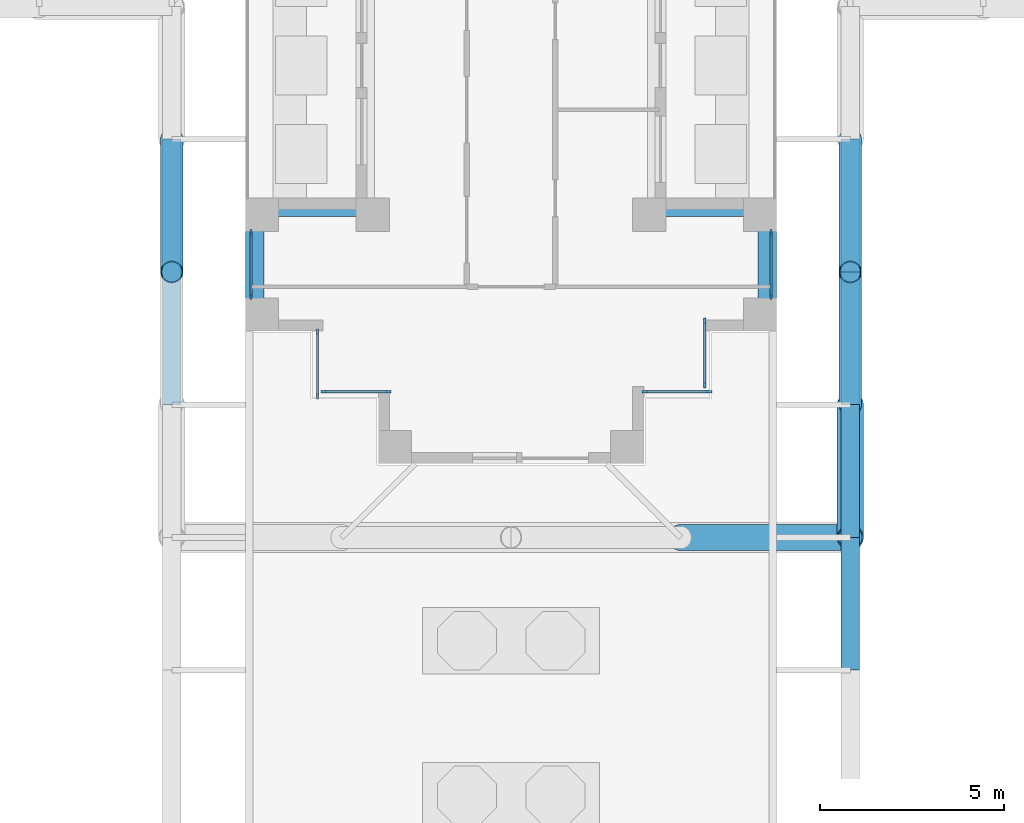
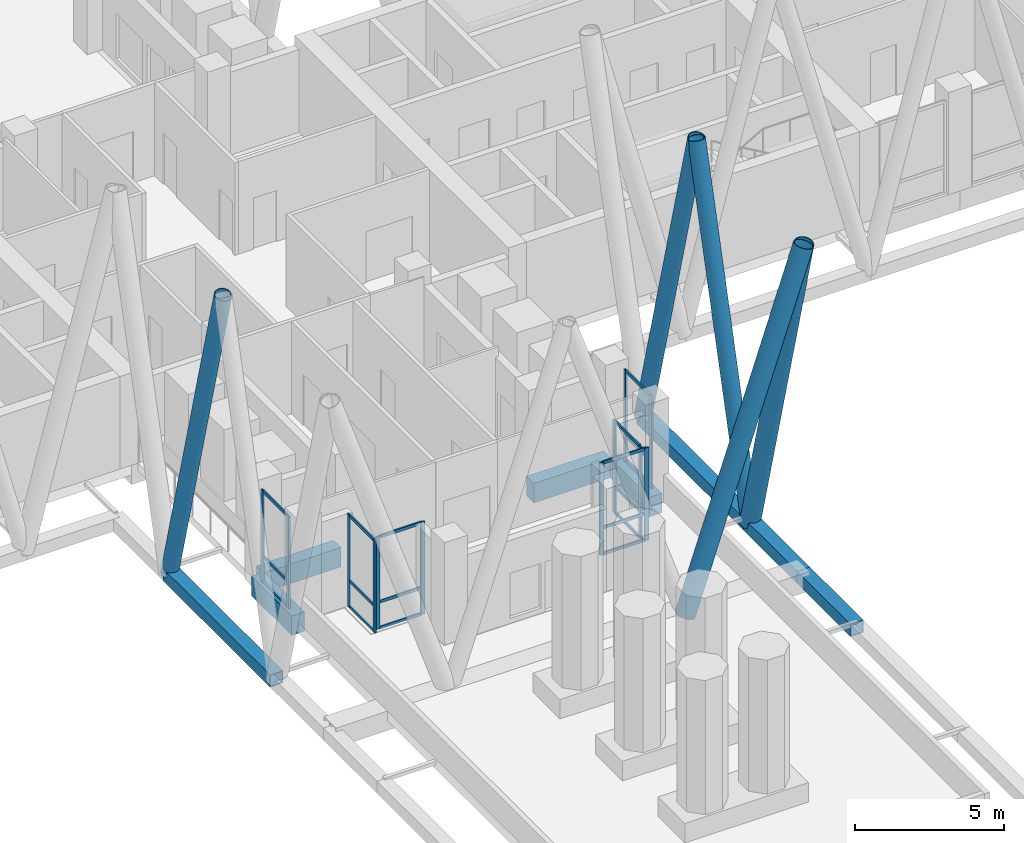
# One storey, part 2 of 22: 39 members, 4 beams, 6 elements without a shape of their own.
"""IFC4 building model written with IfcOpenShell, lengths in metres."""

from ifc_helpers import new_model, si_unit, direction, frame, origin, origin_2d, place, context, subcontext, project, spatial, rectangle, hollow_rectangle, hollow_circle, extrude, material, material_profile, profile_set, type_object, element, aggregate, save


model = new_model("IFC4")

# Units and contexts
model_context = context("Model", 3, precision=1e-05, world=origin(), true_north=direction((0.0, 1.0)))
body_context = subcontext(model_context, "Body", "Model", "MODEL_VIEW")
ifc_project = project(units=[si_unit("LENGTHUNIT", "METRE"), si_unit("AREAUNIT", "SQUARE_METRE"), si_unit("VOLUMEUNIT", "CUBIC_METRE"), si_unit("PLANEANGLEUNIT", "RADIAN"), si_unit("MASSUNIT", "GRAM", prefix="KILO")], contexts=[model_context])

# Site, building, storey
site_placement = place(None, origin())
site = spatial("IfcSite", under=ifc_project, at=site_placement, CompositionType="ELEMENT")
building_placement = place(site_placement, origin())
building = spatial("IfcBuilding", under=site, at=building_placement, Name="Fustian Cross Tower", CompositionType="ELEMENT")
storey_placement = place(building_placement, frame((0.0, 0.0, 116.10009765625)))
storey = spatial("IfcBuildingStorey", under=building, at=storey_placement, Name="L36", CompositionType="ELEMENT", Elevation=116.10009765625)

# Curtain wall, members
ifc_material_1 = material(Name="Dark anodised aluminium and double glazing", Category="aluminium")
curtain_wall_type = type_object("IfcCurtainWallType", Name="CW1 LOUNGE CURTAIN WALL", PredefinedType="NOTDEFINED", material=ifc_material_1)
curtain_wall_1_placement = place(storey_placement, origin())
curtain_wall_1 = element("IfcCurtainWall", 1, at=curtain_wall_1_placement, inside=storey, type_object=curtain_wall_type, Name="Curtain wall", PredefinedType="NOTDEFINED")
ifc_material_2 = material(Name="Aluminium alloy 6063", Category="aluminium")
ifc_material_profile_1 = material_profile(ifc_material_2, rectangle(XDim=0.06005859375, YDim=0.159912109375, at=origin_2d()), Name="CW1 MULLION 60X160")
ifc_profile_set_1 = profile_set([ifc_material_profile_1], Name="Aluminium alloy 6063")
member_type_1 = type_object("IfcMemberType", Name="CW1 MULLION 60X160", PredefinedType="MULLION", material=ifc_profile_set_1)
member_1_placement = place(storey_placement, frame((-7.050048828125, -15.330078125, 0.0), z_axis=(0.0, 0.0, 1.0), x_axis=(1.0, 0.0, 0.0)))
member_1 = element("IfcMember", 2, at=member_1_placement, type_object=member_type_1, Name="CW1 mullion 1", PredefinedType="MULLION", context=body_context, shape_type="SweptSolid", body=[
    extrude(rectangle(XDim=0.06005859375, YDim=0.159912109375, at=origin_2d()), origin(), (0.0, 0.0, 1.0), 3.7998046875),
])
member_2_placement = place(storey_placement, frame((-7.050048828125, -17.070068359375, 0.0), z_axis=(0.0, 0.0, 1.0), x_axis=(1.0, 0.0, 0.0)))
member_2 = element("IfcMember", 3, at=member_2_placement, type_object=member_type_1, Name="CW1 mullion 2", PredefinedType="MULLION", context=body_context, shape_type="SweptSolid", body=[
    extrude(rectangle(XDim=0.06005859375, YDim=0.159912109375, at=origin_2d()), origin(), (0.0, 0.0, 1.0), 3.7998046875),
])

curtain_wall_2_placement = place(storey_placement, origin())
curtain_wall_2 = element("IfcCurtainWall", 4, at=curtain_wall_2_placement, inside=storey, type_object=curtain_wall_type, Name="Curtain wall", PredefinedType="NOTDEFINED")
member_3_placement = place(storey_placement, frame((-5.25, -18.030029296875, 0.0), z_axis=(0.0, 0.0, 1.0), x_axis=(1.0, 0.0, 0.0)))
member_3 = element("IfcMember", 5, at=member_3_placement, type_object=member_type_1, Name="CW1 mullion 1", PredefinedType="MULLION", context=body_context, shape_type="SweptSolid", body=[
    extrude(rectangle(XDim=0.06005859375, YDim=0.159912109375, at=origin_2d()), origin(), (0.0, 0.0, 1.0), 3.7998046875),
])
member_4_placement = place(storey_placement, frame((-5.25, -19.77001953125, 0.0), z_axis=(0.0, 0.0, 1.0), x_axis=(1.0, 0.0, 0.0)))
member_4 = element("IfcMember", 6, at=member_4_placement, type_object=member_type_1, Name="CW1 mullion 2", PredefinedType="MULLION", context=body_context, shape_type="SweptSolid", body=[
    extrude(rectangle(XDim=0.06005859375, YDim=0.159912109375, at=origin_2d()), origin(), (0.0, 0.0, 1.0), 3.7998046875),
])

curtain_wall_3_placement = place(storey_placement, origin())
curtain_wall_3 = element("IfcCurtainWall", 7, at=curtain_wall_3_placement, inside=storey, type_object=curtain_wall_type, Name="Curtain wall", PredefinedType="NOTDEFINED")
member_5_placement = place(storey_placement, frame((-5.070068359375, -19.64990234375, 0.0), z_axis=(0.0, 0.0, 1.0), x_axis=(0.0, 1.0, 0.0)))
member_5 = element("IfcMember", 8, at=member_5_placement, type_object=member_type_1, Name="CW1 mullion 1", PredefinedType="MULLION", context=body_context, shape_type="SweptSolid", body=[
    extrude(rectangle(XDim=0.06005859375, YDim=0.159912109375, at=origin_2d()), origin(), (0.0, 0.0, 1.0), 3.7998046875),
])
member_6_placement = place(storey_placement, frame((-3.330078125, -19.64990234375, 0.0), z_axis=(0.0, 0.0, 1.0), x_axis=(0.0, 1.0, 0.0)))
member_6 = element("IfcMember", 9, at=member_6_placement, type_object=member_type_1, Name="CW1 mullion 2", PredefinedType="MULLION", context=body_context, shape_type="SweptSolid", body=[
    extrude(rectangle(XDim=0.06005859375, YDim=0.159912109375, at=origin_2d()), origin(), (0.0, 0.0, 1.0), 3.7998046875),
])

curtain_wall_4_placement = place(storey_placement, origin())
curtain_wall_4 = element("IfcCurtainWall", 10, at=curtain_wall_4_placement, inside=storey, type_object=curtain_wall_type, Name="Curtain wall", PredefinedType="NOTDEFINED")
member_7_placement = place(storey_placement, frame((3.6298828125, -19.64990234375, 0.0), z_axis=(0.0, 0.0, 1.0), x_axis=(0.0, 1.0, 0.0)))
member_7 = element("IfcMember", 11, at=member_7_placement, type_object=member_type_1, Name="CW1 mullion 1", PredefinedType="MULLION", context=body_context, shape_type="SweptSolid", body=[
    extrude(rectangle(XDim=0.06005859375, YDim=0.159912109375, at=origin_2d()), origin(), (0.0, 0.0, 1.0), 3.7998046875),
])
member_8_placement = place(storey_placement, frame((5.3701171875, -19.64990234375, 0.0), z_axis=(0.0, 0.0, 1.0), x_axis=(0.0, 1.0, 0.0)))
member_8 = element("IfcMember", 12, at=member_8_placement, type_object=member_type_1, Name="CW1 mullion 2", PredefinedType="MULLION", context=body_context, shape_type="SweptSolid", body=[
    extrude(rectangle(XDim=0.06005859375, YDim=0.159912109375, at=origin_2d()), origin(), (0.0, 0.0, 1.0), 3.7998046875),
])

curtain_wall_5_placement = place(storey_placement, origin())
curtain_wall_5 = element("IfcCurtainWall", 13, at=curtain_wall_5_placement, inside=storey, type_object=curtain_wall_type, Name="Curtain wall", PredefinedType="NOTDEFINED")
member_9_placement = place(storey_placement, frame((5.25, -19.469970703125, 0.0), z_axis=(0.0, 0.0, 1.0), x_axis=(-1.0, 0.0, 0.0)))
member_9 = element("IfcMember", 14, at=member_9_placement, type_object=member_type_1, Name="CW1 mullion 1", PredefinedType="MULLION", context=body_context, shape_type="SweptSolid", body=[
    extrude(rectangle(XDim=0.06005859375, YDim=0.159912109375, at=origin_2d()), origin(), (0.0, 0.0, 1.0), 3.7998046875),
])
member_10_placement = place(storey_placement, frame((5.25, -17.72998046875, 0.0), z_axis=(0.0, 0.0, 1.0), x_axis=(-1.0, 0.0, 0.0)))
member_10 = element("IfcMember", 15, at=member_10_placement, type_object=member_type_1, Name="CW1 mullion 2", PredefinedType="MULLION", context=body_context, shape_type="SweptSolid", body=[
    extrude(rectangle(XDim=0.06005859375, YDim=0.159912109375, at=origin_2d()), origin(), (0.0, 0.0, 1.0), 3.7998046875),
])

curtain_wall_6_placement = place(storey_placement, origin())
curtain_wall_6 = element("IfcCurtainWall", 16, at=curtain_wall_6_placement, inside=storey, type_object=curtain_wall_type, Name="Curtain wall", PredefinedType="NOTDEFINED")
member_11_placement = place(storey_placement, frame((7.050048828125, -17.070068359375, 0.0), z_axis=(0.0, 0.0, 1.0), x_axis=(-1.0, 0.0, 0.0)))
member_11 = element("IfcMember", 17, at=member_11_placement, type_object=member_type_1, Name="CW1 mullion 1", PredefinedType="MULLION", context=body_context, shape_type="SweptSolid", body=[
    extrude(rectangle(XDim=0.06005859375, YDim=0.159912109375, at=origin_2d()), origin(), (0.0, 0.0, 1.0), 3.7998046875),
])
member_12_placement = place(storey_placement, frame((7.050048828125, -15.330078125, 0.0), z_axis=(0.0, 0.0, 1.0), x_axis=(-1.0, 0.0, 0.0)))
member_12 = element("IfcMember", 18, at=member_12_placement, type_object=member_type_1, Name="CW1 mullion 2", PredefinedType="MULLION", context=body_context, shape_type="SweptSolid", body=[
    extrude(rectangle(XDim=0.06005859375, YDim=0.159912109375, at=origin_2d()), origin(), (0.0, 0.0, 1.0), 3.7998046875),
])

# Member
ifc_material_3 = material(Name="Aluminium alloy 6063", Category="aluminium")
ifc_material_profile_2 = material_profile(ifc_material_3, rectangle(XDim=0.06005859375, YDim=0.1201171875, at=origin_2d()), Name="CW1 TRANSOM 60X120")
ifc_profile_set_2 = profile_set([ifc_material_profile_2], Name="Aluminium alloy 6063")
member_type_2 = type_object("IfcMemberType", Name="CW1 TRANSOM 60X120", PredefinedType="USERDEFINED", material=ifc_profile_set_2)
member_13_placement = place(storey_placement, frame((-7.050048828125, -15.360107421875, 0.02978515625), z_axis=(0.0, -1.0, 0.0), x_axis=(1.0, 0.0, 0.0)))
member_13 = element("IfcMember", 19, at=member_13_placement, type_object=member_type_2, Name="CW1 transom 1.1", ObjectType="TRANSOM", PredefinedType="USERDEFINED", context=body_context, shape_type="SweptSolid", body=[
    extrude(rectangle(XDim=0.06005859375, YDim=0.1201171875, at=origin_2d()), origin(), (0.0, 0.0, 1.0), 1.679931640625),
])

member_14_placement = place(storey_placement, frame((-7.050048828125, -15.360107421875, 1.099853515625), z_axis=(0.0, -1.0, 0.0), x_axis=(1.0, 0.0, 0.0)))
member_14 = element("IfcMember", 20, at=member_14_placement, type_object=member_type_2, Name="CW1 transom 1.2", ObjectType="TRANSOM", PredefinedType="USERDEFINED", context=body_context, shape_type="SweptSolid", body=[
    extrude(rectangle(XDim=0.06005859375, YDim=0.1201171875, at=origin_2d()), origin(), (0.0, 0.0, 1.0), 1.679931640625),
])

member_15_placement = place(storey_placement, frame((-7.050048828125, -15.360107421875, 3.77001953125), z_axis=(0.0, -1.0, 0.0), x_axis=(1.0, 0.0, 0.0)))
member_15 = element("IfcMember", 21, at=member_15_placement, type_object=member_type_2, Name="CW1 transom 1.3", ObjectType="TRANSOM", PredefinedType="USERDEFINED", context=body_context, shape_type="SweptSolid", body=[
    extrude(rectangle(XDim=0.06005859375, YDim=0.1201171875, at=origin_2d()), origin(), (0.0, 0.0, 1.0), 1.679931640625),
])

aggregate(curtain_wall_1, [member_1, member_2, member_13, member_14, member_15])

member_16_placement = place(storey_placement, frame((-5.25, -18.06005859375, 0.02978515625), z_axis=(0.0, -1.0, 0.0), x_axis=(1.0, 0.0, 0.0)))
member_16 = element("IfcMember", 22, at=member_16_placement, type_object=member_type_2, Name="CW1 transom 1.1", ObjectType="TRANSOM", PredefinedType="USERDEFINED", context=body_context, shape_type="SweptSolid", body=[
    extrude(rectangle(XDim=0.06005859375, YDim=0.1201171875, at=origin_2d()), origin(), (0.0, 0.0, 1.0), 1.679931640625),
])

member_17_placement = place(storey_placement, frame((-5.25, -18.06005859375, 1.099853515625), z_axis=(0.0, -1.0, 0.0), x_axis=(1.0, 0.0, 0.0)))
member_17 = element("IfcMember", 23, at=member_17_placement, type_object=member_type_2, Name="CW1 transom 1.2", ObjectType="TRANSOM", PredefinedType="USERDEFINED", context=body_context, shape_type="SweptSolid", body=[
    extrude(rectangle(XDim=0.06005859375, YDim=0.1201171875, at=origin_2d()), origin(), (0.0, 0.0, 1.0), 1.679931640625),
])

member_18_placement = place(storey_placement, frame((-5.25, -18.06005859375, 3.77001953125), z_axis=(0.0, -1.0, 0.0), x_axis=(1.0, 0.0, 0.0)))
member_18 = element("IfcMember", 24, at=member_18_placement, type_object=member_type_2, Name="CW1 transom 1.3", ObjectType="TRANSOM", PredefinedType="USERDEFINED", context=body_context, shape_type="SweptSolid", body=[
    extrude(rectangle(XDim=0.06005859375, YDim=0.1201171875, at=origin_2d()), origin(), (0.0, 0.0, 1.0), 1.679931640625),
])

aggregate(curtain_wall_2, [member_3, member_4, member_16, member_17, member_18])

member_19_placement = place(storey_placement, frame((-5.0400390625, -19.64990234375, 0.02978515625), z_axis=(1.0, 0.0, 0.0), x_axis=(0.0, 1.0, 0.0)))
member_19 = element("IfcMember", 25, at=member_19_placement, type_object=member_type_2, Name="CW1 transom 1.1", ObjectType="TRANSOM", PredefinedType="USERDEFINED", context=body_context, shape_type="SweptSolid", body=[
    extrude(rectangle(XDim=0.06005859375, YDim=0.1201171875, at=origin_2d()), origin(), (0.0, 0.0, 1.0), 1.679931640625),
])

member_20_placement = place(storey_placement, frame((-5.0400390625, -19.64990234375, 1.099853515625), z_axis=(1.0, 0.0, 0.0), x_axis=(0.0, 1.0, 0.0)))
member_20 = element("IfcMember", 26, at=member_20_placement, type_object=member_type_2, Name="CW1 transom 1.2", ObjectType="TRANSOM", PredefinedType="USERDEFINED", context=body_context, shape_type="SweptSolid", body=[
    extrude(rectangle(XDim=0.06005859375, YDim=0.1201171875, at=origin_2d()), origin(), (0.0, 0.0, 1.0), 1.679931640625),
])

member_21_placement = place(storey_placement, frame((-5.0400390625, -19.64990234375, 3.77001953125), z_axis=(1.0, 0.0, 0.0), x_axis=(0.0, 1.0, 0.0)))
member_21 = element("IfcMember", 27, at=member_21_placement, type_object=member_type_2, Name="CW1 transom 1.3", ObjectType="TRANSOM", PredefinedType="USERDEFINED", context=body_context, shape_type="SweptSolid", body=[
    extrude(rectangle(XDim=0.06005859375, YDim=0.1201171875, at=origin_2d()), origin(), (0.0, 0.0, 1.0), 1.679931640625),
])

aggregate(curtain_wall_3, [member_5, member_6, member_19, member_20, member_21])

member_22_placement = place(storey_placement, frame((3.659912109375, -19.64990234375, 0.02978515625), z_axis=(1.0, 0.0, 0.0), x_axis=(0.0, 1.0, 0.0)))
member_22 = element("IfcMember", 28, at=member_22_placement, type_object=member_type_2, Name="CW1 transom 1.1", ObjectType="TRANSOM", PredefinedType="USERDEFINED", context=body_context, shape_type="SweptSolid", body=[
    extrude(rectangle(XDim=0.06005859375, YDim=0.1201171875, at=origin_2d()), origin(), (0.0, 0.0, 1.0), 1.68017578125),
])

member_23_placement = place(storey_placement, frame((3.659912109375, -19.64990234375, 1.099853515625), z_axis=(1.0, 0.0, 0.0), x_axis=(0.0, 1.0, 0.0)))
member_23 = element("IfcMember", 29, at=member_23_placement, type_object=member_type_2, Name="CW1 transom 1.2", ObjectType="TRANSOM", PredefinedType="USERDEFINED", context=body_context, shape_type="SweptSolid", body=[
    extrude(rectangle(XDim=0.06005859375, YDim=0.1201171875, at=origin_2d()), origin(), (0.0, 0.0, 1.0), 1.68017578125),
])

member_24_placement = place(storey_placement, frame((3.659912109375, -19.64990234375, 3.77001953125), z_axis=(1.0, 0.0, 0.0), x_axis=(0.0, 1.0, 0.0)))
member_24 = element("IfcMember", 30, at=member_24_placement, type_object=member_type_2, Name="CW1 transom 1.3", ObjectType="TRANSOM", PredefinedType="USERDEFINED", context=body_context, shape_type="SweptSolid", body=[
    extrude(rectangle(XDim=0.06005859375, YDim=0.1201171875, at=origin_2d()), origin(), (0.0, 0.0, 1.0), 1.68017578125),
])

aggregate(curtain_wall_4, [member_7, member_8, member_22, member_23, member_24])

member_25_placement = place(storey_placement, frame((5.25, -19.43994140625, 0.02978515625), z_axis=(0.0, 1.0, 0.0), x_axis=(-1.0, 0.0, 0.0)))
member_25 = element("IfcMember", 31, at=member_25_placement, type_object=member_type_2, Name="CW1 transom 1.1", ObjectType="TRANSOM", PredefinedType="USERDEFINED", context=body_context, shape_type="SweptSolid", body=[
    extrude(rectangle(XDim=0.06005859375, YDim=0.1201171875, at=origin_2d()), origin(), (0.0, 0.0, 1.0), 1.679931640625),
])

member_26_placement = place(storey_placement, frame((5.25, -19.43994140625, 1.099853515625), z_axis=(0.0, 1.0, 0.0), x_axis=(-1.0, 0.0, 0.0)))
member_26 = element("IfcMember", 32, at=member_26_placement, type_object=member_type_2, Name="CW1 transom 1.2", ObjectType="TRANSOM", PredefinedType="USERDEFINED", context=body_context, shape_type="SweptSolid", body=[
    extrude(rectangle(XDim=0.06005859375, YDim=0.1201171875, at=origin_2d()), origin(), (0.0, 0.0, 1.0), 1.679931640625),
])

member_27_placement = place(storey_placement, frame((5.25, -19.43994140625, 3.77001953125), z_axis=(0.0, 1.0, 0.0), x_axis=(-1.0, 0.0, 0.0)))
member_27 = element("IfcMember", 33, at=member_27_placement, type_object=member_type_2, Name="CW1 transom 1.3", ObjectType="TRANSOM", PredefinedType="USERDEFINED", context=body_context, shape_type="SweptSolid", body=[
    extrude(rectangle(XDim=0.06005859375, YDim=0.1201171875, at=origin_2d()), origin(), (0.0, 0.0, 1.0), 1.679931640625),
])

aggregate(curtain_wall_5, [member_9, member_10, member_25, member_26, member_27])

member_28_placement = place(storey_placement, frame((7.050048828125, -17.0400390625, 0.02978515625), z_axis=(0.0, 1.0, 0.0), x_axis=(-1.0, 0.0, 0.0)))
member_28 = element("IfcMember", 34, at=member_28_placement, type_object=member_type_2, Name="CW1 transom 1.1", ObjectType="TRANSOM", PredefinedType="USERDEFINED", context=body_context, shape_type="SweptSolid", body=[
    extrude(rectangle(XDim=0.06005859375, YDim=0.1201171875, at=origin_2d()), origin(), (0.0, 0.0, 1.0), 1.679931640625),
])

member_29_placement = place(storey_placement, frame((7.050048828125, -17.0400390625, 1.099853515625), z_axis=(0.0, 1.0, 0.0), x_axis=(-1.0, 0.0, 0.0)))
member_29 = element("IfcMember", 35, at=member_29_placement, type_object=member_type_2, Name="CW1 transom 1.2", ObjectType="TRANSOM", PredefinedType="USERDEFINED", context=body_context, shape_type="SweptSolid", body=[
    extrude(rectangle(XDim=0.06005859375, YDim=0.1201171875, at=origin_2d()), origin(), (0.0, 0.0, 1.0), 1.679931640625),
])

member_30_placement = place(storey_placement, frame((7.050048828125, -17.0400390625, 3.77001953125), z_axis=(0.0, 1.0, 0.0), x_axis=(-1.0, 0.0, 0.0)))
member_30 = element("IfcMember", 36, at=member_30_placement, type_object=member_type_2, Name="CW1 transom 1.3", ObjectType="TRANSOM", PredefinedType="USERDEFINED", context=body_context, shape_type="SweptSolid", body=[
    extrude(rectangle(XDim=0.06005859375, YDim=0.1201171875, at=origin_2d()), origin(), (0.0, 0.0, 1.0), 1.679931640625),
])

aggregate(curtain_wall_6, [member_11, member_12, member_28, member_29, member_30])

# Members
ifc_material_4 = material(Name="Steel S355", Category="steel")
ifc_material_profile_3 = material_profile(ifc_material_4, hollow_circle(Radius=0.3046875, WallThickness=0.02490234375, at=origin_2d()), Name="CHS 610x25")
ifc_profile_set_3 = profile_set([ifc_material_profile_3], Name="Steel S355")
member_type_3 = type_object("IfcMemberType", Name="DIAGRID DIAGONAL CHS 610x25", PredefinedType="BRACE", material=ifc_profile_set_3)
member_31_placement = place(storey_placement, frame((-9.199951171875, -12.800048828125, -0.400146484375), z_axis=(0.0, -0.255881112712, 0.966708258037), x_axis=(1.0, 0.0, 0.0)))
element("IfcMember", 37, at=member_31_placement, inside=storey, type_object=member_type_3, Name="Diagrid diagonal S-W 02", PredefinedType="BRACE", context=body_context, shape_type="SweptSolid", body=[
    extrude(hollow_circle(Radius=0.3046875, WallThickness=0.02490234375, at=origin_2d()), origin(), (0.0, 0.0, 1.0), 14.068359375),
])
member_32_placement = place(storey_placement, frame((9.199951171875, -20.0, -0.400146484375), z_axis=(0.0, 0.255897330119, 0.966703965254), x_axis=(-1.0, 0.0, 0.0)))
element("IfcMember", 38, at=member_32_placement, inside=storey, type_object=member_type_3, Name="Diagrid diagonal S-E 02", PredefinedType="BRACE", context=body_context, shape_type="SweptSolid", body=[
    extrude(hollow_circle(Radius=0.3046875, WallThickness=0.02490234375, at=origin_2d()), origin(), (0.0, 0.0, 1.0), 14.068603515625),
])
member_33_placement = place(storey_placement, frame((9.199951171875, -12.800048828125, -0.400146484375), z_axis=(0.0, -0.255881112712, 0.966708258037), x_axis=(1.0, 0.0, 0.0)))
element("IfcMember", 39, at=member_33_placement, inside=storey, type_object=member_type_3, Name="Diagrid diagonal S-E 03", PredefinedType="BRACE", context=body_context, shape_type="SweptSolid", body=[
    extrude(hollow_circle(Radius=0.3046875, WallThickness=0.02490234375, at=origin_2d()), origin(), (0.0, 0.0, 1.0), 14.068359375),
])
ifc_material_5 = material(Name="Steel S355", Category="steel")
ifc_material_profile_4 = material_profile(ifc_material_5, hollow_circle(Radius=0.355712890625, WallThickness=0.031982421875, at=origin_2d()), Name="CHS 711x32")
ifc_profile_set_4 = profile_set([ifc_material_profile_4], Name="Steel S355")
member_type_4 = type_object("IfcMemberType", Name="DIAGRID DIAGONAL CHS 711x32", PredefinedType="BRACE", material=ifc_profile_set_4)
member_34_placement = place(storey_placement, frame((4.60009765625, -23.60009765625, -0.400146484375), z_axis=(0.320392658503, 0.0, 0.947284827482), x_axis=(0.0, 1.0, 0.0)))
element("IfcMember", 40, at=member_34_placement, inside=storey, type_object=member_type_4, Name="Diagrid diagonal S-end 04", PredefinedType="BRACE", context=body_context, shape_type="SweptSolid", body=[
    extrude(hollow_circle(Radius=0.355712890625, WallThickness=0.031982421875, at=origin_2d()), origin(), (0.0, 0.0, 1.0), 14.35693359375),
])
member_35_placement = place(storey_placement, frame((9.199951171875, -20.0, -0.400146484375), z_axis=(0.0, -0.255897330119, 0.966703965254), x_axis=(1.0, 0.0, 0.0)))
element("IfcMember", 41, at=member_35_placement, inside=storey, type_object=member_type_4, Name="Diagrid diagonal S-E 01", PredefinedType="BRACE", context=body_context, shape_type="SweptSolid", body=[
    extrude(hollow_circle(Radius=0.355712890625, WallThickness=0.031982421875, at=origin_2d()), origin(), (0.0, 0.0, 1.0), 14.068603515625),
])
ifc_material_6 = material(Name="Steel S355", Category="steel")
ifc_material_profile_5 = material_profile(ifc_material_6, hollow_rectangle(XDim=0.5, YDim=0.5, WallThickness=0.02490234375, at=origin_2d()), Name="RHS 500x500x25")
ifc_profile_set_5 = profile_set([ifc_material_profile_5], Name="Steel S355")
member_type_5 = type_object("IfcMemberType", Name="DIAGRID RING RHS 500x500x25", PredefinedType="MEMBER", material=ifc_profile_set_5)
member_36_placement = place(storey_placement, frame((-9.199951171875, -12.800048828125, -0.400146484375), z_axis=(0.0, -1.0, 0.0), x_axis=(1.0, 0.0, 0.0)))
element("IfcMember", 42, at=member_36_placement, inside=storey, type_object=member_type_5, Name="Diagrid ring L36-34 L36-35", PredefinedType="MEMBER", context=body_context, shape_type="SweptSolid", body=[
    extrude(hollow_rectangle(XDim=0.5, YDim=0.5, WallThickness=0.02490234375, at=origin_2d()), origin(), (0.0, 0.0, 1.0), 7.199951171875),
])
member_37_placement = place(storey_placement, frame((9.199951171875, -27.199951171875, -0.400146484375), z_axis=(0.0, 1.0, 0.0), x_axis=(-1.0, 0.0, 0.0)))
element("IfcMember", 43, at=member_37_placement, inside=storey, type_object=member_type_5, Name="Diagrid ring L36-48 L36-49", PredefinedType="MEMBER", context=body_context, shape_type="SweptSolid", body=[
    extrude(hollow_rectangle(XDim=0.5, YDim=0.5, WallThickness=0.02490234375, at=origin_2d()), origin(), (0.0, 0.0, 1.0), 3.599853515625),
])
member_38_placement = place(storey_placement, frame((9.199951171875, -23.60009765625, -0.400146484375), z_axis=(0.0, 1.0, 0.0), x_axis=(-1.0, 0.0, 0.0)))
element("IfcMember", 44, at=member_38_placement, inside=storey, type_object=member_type_5, Name="Diagrid ring L36-49 L36-50", PredefinedType="MEMBER", context=body_context, shape_type="SweptSolid", body=[
    extrude(hollow_rectangle(XDim=0.5, YDim=0.5, WallThickness=0.02490234375, at=origin_2d()), origin(), (0.0, 0.0, 1.0), 3.60009765625),
])
member_39_placement = place(storey_placement, frame((9.199951171875, -20.0, -0.400146484375), z_axis=(0.0, 1.0, 0.0), x_axis=(-1.0, 0.0, 0.0)))
element("IfcMember", 45, at=member_39_placement, inside=storey, type_object=member_type_5, Name="Diagrid ring L36-50 L36-51", PredefinedType="MEMBER", context=body_context, shape_type="SweptSolid", body=[
    extrude(hollow_rectangle(XDim=0.5, YDim=0.5, WallThickness=0.02490234375, at=origin_2d()), origin(), (0.0, 0.0, 1.0), 7.199951171875),
])

# Beams
ifc_material_7 = material(Name="Concrete C50/60", Category="concrete")
ifc_material_profile_6 = material_profile(ifc_material_7, rectangle(XDim=0.5, YDim=0.800048828125, at=origin_2d()), Name="RC 500x800")
ifc_profile_set_6 = profile_set([ifc_material_profile_6], Name="Concrete C50/60")
beam_type = type_object("IfcBeamType", Name="EDGE BEAM RC 500x800 C50/60", PredefinedType="SPANDREL", material=ifc_profile_set_6)
beam_1_placement = place(storey_placement, frame((-3.75, -14.64990234375, -0.400146484375), z_axis=(-1.0, 0.0, 0.0), x_axis=(0.0, -1.0, 0.0)))
element("IfcBeam", 46, at=beam_1_placement, inside=storey, type_object=beam_type, Name="EDGE BEAM L36-30", PredefinedType="SPANDREL", context=body_context, shape_type="SweptSolid", body=[
    extrude(rectangle(XDim=0.5, YDim=0.800048828125, at=origin_2d()), origin(), (0.0, 0.0, 1.0), 3.0),
])
for number, where, z_axis, x_axis, name in (
    (47, (-6.949951171875, -14.85009765625, -0.400146484375), (0.0, -1.0, 0.0), (1.0, 0.0, 0.0), "EDGE BEAM L36-31"),
    (48, (6.949951171875, -17.550048828125, -0.400146484375), (0.0, 1.0, 0.0), (-1.0, 0.0, 0.0), "EDGE BEAM L36-32"),
):
    element("IfcBeam", number, at=place(storey_placement, frame(where, z_axis=z_axis, x_axis=x_axis)), inside=storey, type_object=beam_type, Name=name, PredefinedType="SPANDREL", context=body_context, shape_type="SweptSolid", body=[
        extrude(rectangle(XDim=0.5, YDim=0.800048828125, at=origin_2d()), origin(), (0.0, 0.0, 1.0), 2.699951171875),
    ])
beam_2_placement = place(storey_placement, frame((6.75, -14.64990234375, -0.400146484375), z_axis=(-1.0, 0.0, 0.0), x_axis=(0.0, -1.0, 0.0)))
element("IfcBeam", 49, at=beam_2_placement, inside=storey, type_object=beam_type, Name="EDGE BEAM L36-33", PredefinedType="SPANDREL", context=body_context, shape_type="SweptSolid", body=[
    extrude(rectangle(XDim=0.5, YDim=0.800048828125, at=origin_2d()), origin(), (0.0, 0.0, 1.0), 3.0),
])

save(model, "model.ifc")
